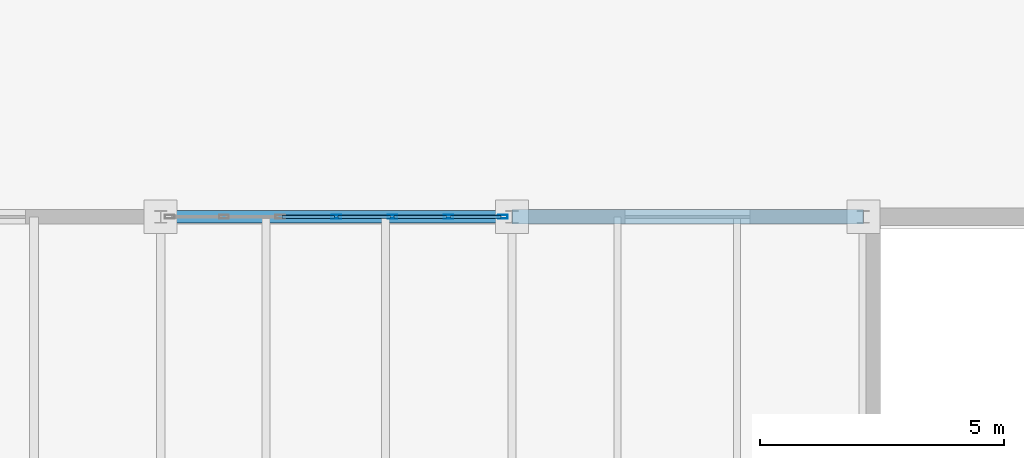
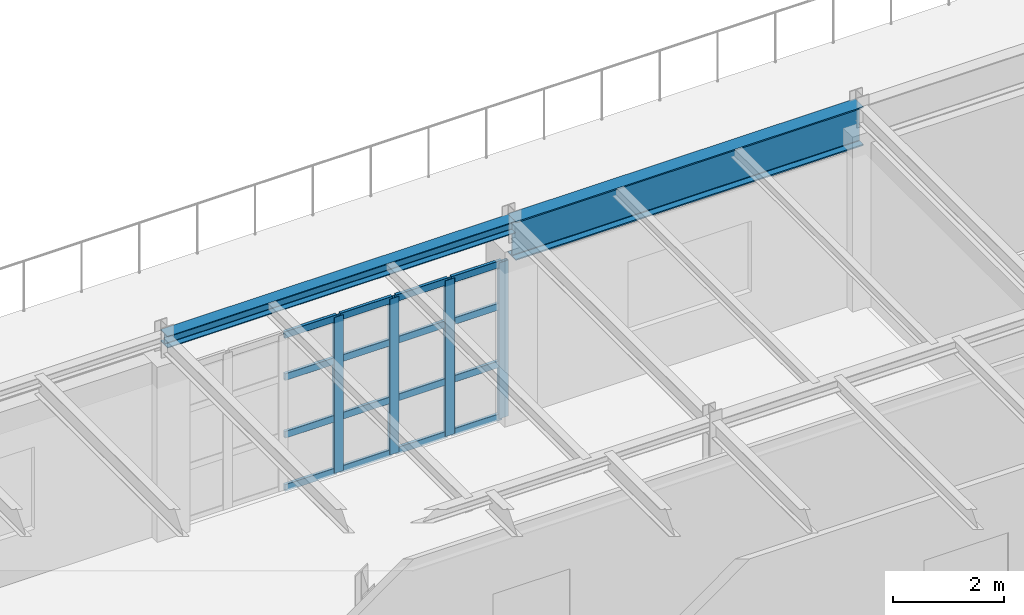
# One storey, part 27 of 36: 20 members, 2 beams, 1 element without a shape of its own.
"""IFC4 building model written with IfcOpenShell, lengths in metres."""

from ifc_helpers import new_model, si_unit, direction, frame, origin, origin_2d, place, context, subcontext, project, spatial, hollow_rectangle, i_section, extrude, material, layer, layer_set, material_profile, profile_set, type_object, element, aggregate, save


model = new_model("IFC4")

# Units and contexts
model_context = context("Model", 3, precision=1e-05, world=origin(), true_north=direction((0.0, 1.0)))
body_context = subcontext(model_context, "Body", "Model", "MODEL_VIEW")
ifc_project = project(units=[si_unit("LENGTHUNIT", "METRE"), si_unit("AREAUNIT", "SQUARE_METRE"), si_unit("VOLUMEUNIT", "CUBIC_METRE"), si_unit("PLANEANGLEUNIT", "RADIAN"), si_unit("MASSUNIT", "GRAM", prefix="KILO")], contexts=[model_context])

# Site, building, storey
site_placement = place(None, origin())
site = spatial("IfcSite", under=ifc_project, at=site_placement, CompositionType="ELEMENT")
building_placement = place(site_placement, origin())
building = spatial("IfcBuilding", under=site, at=building_placement, Name="Kemerveld Promenade Tramway Depot", CompositionType="ELEMENT")
storey_placement = place(building_placement, frame((0.0, 0.0, 14.39990234375)))
storey = spatial("IfcBuildingStorey", under=building, at=storey_placement, Name="L03", CompositionType="ELEMENT", Elevation=14.39990234375)

# Beams
ifc_material_1 = material(Name="Steel S355", Category="steel")
ifc_material_profile_1 = material_profile(ifc_material_1, i_section(OverallWidth=0.293701171875, OverallDepth=0.850830078125, WebThickness=0.01611328125, FlangeThickness=0.02685546875, FilletRadius=0.017822265625, at=origin_2d()), Name="838x292x226 UB")
ifc_profile_set_1 = profile_set([ifc_material_profile_1], Name="Steel S355")
beam_type_1 = type_object("IfcBeamType", Name="BM-G01", PredefinedType="BEAM", material=ifc_profile_set_1)
beam_1_placement = place(storey_placement, frame((21.60009765625, 64.800048828125, 3.859619140625), z_axis=(1.0, 0.0, 0.0), x_axis=(0.0, 1.0, 0.0)))
element("IfcBeam", 1, at=beam_1_placement, inside=storey, type_object=beam_type_1, Name="BMX-L03-04-05-K", PredefinedType="BEAM", context=body_context, shape_type="SweptSolid", body=[
    extrude(i_section(OverallWidth=0.293701171875, OverallDepth=0.850830078125, WebThickness=0.01611328125, FlangeThickness=0.02685546875, FilletRadius=0.017822265625, at=origin_2d()), origin(), (0.0, 0.0, 1.0), 7.199951171875),
])
ifc_material_profile_2 = material_profile(ifc_material_1, i_section(OverallWidth=0.25634765625, OverallDepth=0.26025390625, WebThickness=0.01025390625, FlangeThickness=0.017333984375, FilletRadius=0.0126953125, at=origin_2d()), Name="254x254x89 UC")
ifc_profile_set_2 = profile_set([ifc_material_profile_2], Name="Steel S355")
beam_type_2 = type_object("IfcBeamType", Name="BM-LN4", PredefinedType="LINTEL", material=ifc_profile_set_2)
beam_2_placement = place(storey_placement, frame((14.39990234375, 64.800048828125, 4.15478515625), z_axis=(1.0, 0.0, 0.0), x_axis=(0.0, 1.0, 0.0)))
element("IfcBeam", 2, at=beam_2_placement, inside=storey, type_object=beam_type_2, Name="BMX-L03-03-04-K", PredefinedType="LINTEL", context=body_context, shape_type="SweptSolid", body=[
    extrude(i_section(OverallWidth=0.25634765625, OverallDepth=0.26025390625, WebThickness=0.01025390625, FlangeThickness=0.017333984375, FilletRadius=0.0126953125, at=origin_2d()), origin(), (0.0, 0.0, 1.0), 7.2001953125),
])

# Curtain wall, members
ifc_material_2 = material(Name="Bronze anodised aluminium and solar glass", Category="aluminium")
ifc_layer = layer(ifc_material_2, 0.199951171875)
ifc_layer_set = layer_set([ifc_layer], Name="CW-SYS-06")
curtain_wall_type = type_object("IfcCurtainWallType", Name="CW-SYS-06", PredefinedType="USERDEFINED", material=ifc_layer_set)
curtain_wall_placement = place(storey_placement, origin())
curtain_wall = element("IfcCurtainWall", 3, at=curtain_wall_placement, inside=storey, type_object=curtain_wall_type, Name="CW-L03-V5N-03", ObjectType="GLAZED_CURTAIN_WALL", PredefinedType="USERDEFINED")
ifc_material_3 = material(Name="Bronze anodised aluminium", Category="aluminium")
ifc_material_profile_3 = material_profile(ifc_material_3, hollow_rectangle(XDim=0.074951171875, YDim=0.199951171875, WallThickness=0.0048828125, InnerFilletRadius=0.001953125, OuterFilletRadius=0.0048828125, at=origin_2d()), Name="CW-MUL-200x75")
ifc_profile_set_3 = profile_set([ifc_material_profile_3], Name="Bronze anodised aluminium")
member_type_1 = type_object("IfcMemberType", Name="CW-MUL-B", PredefinedType="MULLION", material=ifc_profile_set_3)
member_1_placement = place(storey_placement, frame((18.0, 64.800048828125, 0.0), z_axis=(0.0, 0.0, 1.0), x_axis=(0.0, 1.0, 0.0)))
member_1 = element("IfcMember", 4, at=member_1_placement, type_object=member_type_1, Name="CW06 mullion 4", PredefinedType="MULLION", context=body_context, shape_type="SweptSolid", body=[
    extrude(hollow_rectangle(XDim=0.074951171875, YDim=0.199951171875, WallThickness=0.0048828125, InnerFilletRadius=0.001953125, OuterFilletRadius=0.0048828125, at=origin_2d()), origin(), (0.0, 0.0, 1.0), 3.4140625),
])
member_2_placement = place(storey_placement, frame((19.14990234375, 64.800048828125, 0.0), z_axis=(0.0, 0.0, 1.0), x_axis=(0.0, 1.0, 0.0)))
member_2 = element("IfcMember", 5, at=member_2_placement, type_object=member_type_1, Name="CW06 mullion 5", PredefinedType="MULLION", context=body_context, shape_type="SweptSolid", body=[
    extrude(hollow_rectangle(XDim=0.074951171875, YDim=0.199951171875, WallThickness=0.0048828125, InnerFilletRadius=0.001953125, OuterFilletRadius=0.0048828125, at=origin_2d()), origin(), (0.0, 0.0, 1.0), 3.4140625),
])
member_3_placement = place(storey_placement, frame((20.300048828125, 64.800048828125, 0.0), z_axis=(0.0, 0.0, 1.0), x_axis=(0.0, 1.0, 0.0)))
member_3 = element("IfcMember", 6, at=member_3_placement, type_object=member_type_1, Name="CW06 mullion 6", PredefinedType="MULLION", context=body_context, shape_type="SweptSolid", body=[
    extrude(hollow_rectangle(XDim=0.074951171875, YDim=0.199951171875, WallThickness=0.0048828125, InnerFilletRadius=0.001953125, OuterFilletRadius=0.0048828125, at=origin_2d()), origin(), (0.0, 0.0, 1.0), 3.4140625),
])
member_4_placement = place(storey_placement, frame((21.412353515625, 64.800048828125, 0.0), z_axis=(0.0, 0.0, 1.0), x_axis=(0.0, 1.0, 0.0)))
member_4 = element("IfcMember", 7, at=member_4_placement, type_object=member_type_1, Name="CW06 mullion 7", PredefinedType="MULLION", context=body_context, shape_type="SweptSolid", body=[
    extrude(hollow_rectangle(XDim=0.074951171875, YDim=0.199951171875, WallThickness=0.0048828125, InnerFilletRadius=0.001953125, OuterFilletRadius=0.0048828125, at=origin_2d()), origin(), (0.0, 0.0, 1.0), 3.4140625),
])
ifc_material_profile_4 = material_profile(ifc_material_3, hollow_rectangle(XDim=0.06494140625, YDim=0.14990234375, WallThickness=0.00439453125, InnerFilletRadius=0.001953125, OuterFilletRadius=0.00439453125, at=origin_2d()), Name="CW-TRN-150x65")
ifc_profile_set_4 = profile_set([ifc_material_profile_4], Name="Bronze anodised aluminium")
member_type_2 = type_object("IfcMemberType", Name="CW-TRN-B", PredefinedType="USERDEFINED", material=ifc_profile_set_4)
member_5_placement = place(storey_placement, frame((16.8876953125, 64.800048828125, 0.03271484375), z_axis=(1.0, 0.0, 0.0), x_axis=(0.0, 1.0, 0.0)))
member_5 = element("IfcMember", 8, at=member_5_placement, type_object=member_type_2, Name="CW06 transom 3.1", ObjectType="TRANSOM", PredefinedType="USERDEFINED", context=body_context, shape_type="SweptSolid", body=[
    extrude(hollow_rectangle(XDim=0.06494140625, YDim=0.14990234375, WallThickness=0.00439453125, InnerFilletRadius=0.001953125, OuterFilletRadius=0.00439453125, at=origin_2d()), origin(), (0.0, 0.0, 1.0), 1.074951171875),
])
member_6_placement = place(storey_placement, frame((16.8876953125, 64.800048828125, 1.195068359375), z_axis=(1.0, 0.0, 0.0), x_axis=(0.0, 1.0, 0.0)))
member_6 = element("IfcMember", 9, at=member_6_placement, type_object=member_type_2, Name="CW06 transom 3.2", ObjectType="TRANSOM", PredefinedType="USERDEFINED", context=body_context, shape_type="SweptSolid", body=[
    extrude(hollow_rectangle(XDim=0.06494140625, YDim=0.14990234375, WallThickness=0.00439453125, InnerFilletRadius=0.001953125, OuterFilletRadius=0.00439453125, at=origin_2d()), origin(), (0.0, 0.0, 1.0), 1.074951171875),
])
member_7_placement = place(storey_placement, frame((16.8876953125, 64.800048828125, 2.4580078125), z_axis=(1.0, 0.0, 0.0), x_axis=(0.0, 1.0, 0.0)))
member_7 = element("IfcMember", 10, at=member_7_placement, type_object=member_type_2, Name="CW06 transom 3.3", ObjectType="TRANSOM", PredefinedType="USERDEFINED", context=body_context, shape_type="SweptSolid", body=[
    extrude(hollow_rectangle(XDim=0.06494140625, YDim=0.14990234375, WallThickness=0.00439453125, InnerFilletRadius=0.001953125, OuterFilletRadius=0.00439453125, at=origin_2d()), origin(), (0.0, 0.0, 1.0), 1.074951171875),
])
member_8_placement = place(storey_placement, frame((16.8876953125, 64.800048828125, 3.381591796875), z_axis=(1.0, 0.0, 0.0), x_axis=(0.0, 1.0, 0.0)))
member_8 = element("IfcMember", 11, at=member_8_placement, type_object=member_type_2, Name="CW06 transom 3.4", ObjectType="TRANSOM", PredefinedType="USERDEFINED", context=body_context, shape_type="SweptSolid", body=[
    extrude(hollow_rectangle(XDim=0.06494140625, YDim=0.14990234375, WallThickness=0.00439453125, InnerFilletRadius=0.001953125, OuterFilletRadius=0.00439453125, at=origin_2d()), origin(), (0.0, 0.0, 1.0), 1.074951171875),
])
member_9_placement = place(storey_placement, frame((18.03759765625, 64.800048828125, 0.03271484375), z_axis=(1.0, 0.0, 0.0), x_axis=(0.0, 1.0, 0.0)))
member_9 = element("IfcMember", 12, at=member_9_placement, type_object=member_type_2, Name="CW06 transom 4.1", ObjectType="TRANSOM", PredefinedType="USERDEFINED", context=body_context, shape_type="SweptSolid", body=[
    extrude(hollow_rectangle(XDim=0.06494140625, YDim=0.14990234375, WallThickness=0.00439453125, InnerFilletRadius=0.001953125, OuterFilletRadius=0.00439453125, at=origin_2d()), origin(), (0.0, 0.0, 1.0), 1.074951171875),
])
member_10_placement = place(storey_placement, frame((18.03759765625, 64.800048828125, 1.195068359375), z_axis=(1.0, 0.0, 0.0), x_axis=(0.0, 1.0, 0.0)))
member_10 = element("IfcMember", 13, at=member_10_placement, type_object=member_type_2, Name="CW06 transom 4.2", ObjectType="TRANSOM", PredefinedType="USERDEFINED", context=body_context, shape_type="SweptSolid", body=[
    extrude(hollow_rectangle(XDim=0.06494140625, YDim=0.14990234375, WallThickness=0.00439453125, InnerFilletRadius=0.001953125, OuterFilletRadius=0.00439453125, at=origin_2d()), origin(), (0.0, 0.0, 1.0), 1.074951171875),
])
member_11_placement = place(storey_placement, frame((18.03759765625, 64.800048828125, 2.4580078125), z_axis=(1.0, 0.0, 0.0), x_axis=(0.0, 1.0, 0.0)))
member_11 = element("IfcMember", 14, at=member_11_placement, type_object=member_type_2, Name="CW06 transom 4.3", ObjectType="TRANSOM", PredefinedType="USERDEFINED", context=body_context, shape_type="SweptSolid", body=[
    extrude(hollow_rectangle(XDim=0.06494140625, YDim=0.14990234375, WallThickness=0.00439453125, InnerFilletRadius=0.001953125, OuterFilletRadius=0.00439453125, at=origin_2d()), origin(), (0.0, 0.0, 1.0), 1.074951171875),
])
member_12_placement = place(storey_placement, frame((18.03759765625, 64.800048828125, 3.381591796875), z_axis=(1.0, 0.0, 0.0), x_axis=(0.0, 1.0, 0.0)))
member_12 = element("IfcMember", 15, at=member_12_placement, type_object=member_type_2, Name="CW06 transom 4.4", ObjectType="TRANSOM", PredefinedType="USERDEFINED", context=body_context, shape_type="SweptSolid", body=[
    extrude(hollow_rectangle(XDim=0.06494140625, YDim=0.14990234375, WallThickness=0.00439453125, InnerFilletRadius=0.001953125, OuterFilletRadius=0.00439453125, at=origin_2d()), origin(), (0.0, 0.0, 1.0), 1.074951171875),
])
member_13_placement = place(storey_placement, frame((19.1875, 64.800048828125, 0.03271484375), z_axis=(1.0, 0.0, 0.0), x_axis=(0.0, 1.0, 0.0)))
member_13 = element("IfcMember", 16, at=member_13_placement, type_object=member_type_2, Name="CW06 transom 5.1", ObjectType="TRANSOM", PredefinedType="USERDEFINED", context=body_context, shape_type="SweptSolid", body=[
    extrude(hollow_rectangle(XDim=0.06494140625, YDim=0.14990234375, WallThickness=0.00439453125, InnerFilletRadius=0.001953125, OuterFilletRadius=0.00439453125, at=origin_2d()), origin(), (0.0, 0.0, 1.0), 1.074951171875),
])
member_14_placement = place(storey_placement, frame((19.1875, 64.800048828125, 1.195068359375), z_axis=(1.0, 0.0, 0.0), x_axis=(0.0, 1.0, 0.0)))
member_14 = element("IfcMember", 17, at=member_14_placement, type_object=member_type_2, Name="CW06 transom 5.2", ObjectType="TRANSOM", PredefinedType="USERDEFINED", context=body_context, shape_type="SweptSolid", body=[
    extrude(hollow_rectangle(XDim=0.06494140625, YDim=0.14990234375, WallThickness=0.00439453125, InnerFilletRadius=0.001953125, OuterFilletRadius=0.00439453125, at=origin_2d()), origin(), (0.0, 0.0, 1.0), 1.074951171875),
])
member_15_placement = place(storey_placement, frame((19.1875, 64.800048828125, 2.4580078125), z_axis=(1.0, 0.0, 0.0), x_axis=(0.0, 1.0, 0.0)))
member_15 = element("IfcMember", 18, at=member_15_placement, type_object=member_type_2, Name="CW06 transom 5.3", ObjectType="TRANSOM", PredefinedType="USERDEFINED", context=body_context, shape_type="SweptSolid", body=[
    extrude(hollow_rectangle(XDim=0.06494140625, YDim=0.14990234375, WallThickness=0.00439453125, InnerFilletRadius=0.001953125, OuterFilletRadius=0.00439453125, at=origin_2d()), origin(), (0.0, 0.0, 1.0), 1.074951171875),
])
member_16_placement = place(storey_placement, frame((19.1875, 64.800048828125, 3.381591796875), z_axis=(1.0, 0.0, 0.0), x_axis=(0.0, 1.0, 0.0)))
member_16 = element("IfcMember", 19, at=member_16_placement, type_object=member_type_2, Name="CW06 transom 5.4", ObjectType="TRANSOM", PredefinedType="USERDEFINED", context=body_context, shape_type="SweptSolid", body=[
    extrude(hollow_rectangle(XDim=0.06494140625, YDim=0.14990234375, WallThickness=0.00439453125, InnerFilletRadius=0.001953125, OuterFilletRadius=0.00439453125, at=origin_2d()), origin(), (0.0, 0.0, 1.0), 1.074951171875),
])
member_17_placement = place(storey_placement, frame((20.33740234375, 64.800048828125, 0.03271484375), z_axis=(1.0, 0.0, 0.0), x_axis=(0.0, 1.0, 0.0)))
member_17 = element("IfcMember", 20, at=member_17_placement, type_object=member_type_2, Name="CW06 transom 6.1", ObjectType="TRANSOM", PredefinedType="USERDEFINED", context=body_context, shape_type="SweptSolid", body=[
    extrude(hollow_rectangle(XDim=0.06494140625, YDim=0.14990234375, WallThickness=0.00439453125, InnerFilletRadius=0.001953125, OuterFilletRadius=0.00439453125, at=origin_2d()), origin(), (0.0, 0.0, 1.0), 1.03759765625),
])
member_18_placement = place(storey_placement, frame((20.33740234375, 64.800048828125, 1.195068359375), z_axis=(1.0, 0.0, 0.0), x_axis=(0.0, 1.0, 0.0)))
member_18 = element("IfcMember", 21, at=member_18_placement, type_object=member_type_2, Name="CW06 transom 6.2", ObjectType="TRANSOM", PredefinedType="USERDEFINED", context=body_context, shape_type="SweptSolid", body=[
    extrude(hollow_rectangle(XDim=0.06494140625, YDim=0.14990234375, WallThickness=0.00439453125, InnerFilletRadius=0.001953125, OuterFilletRadius=0.00439453125, at=origin_2d()), origin(), (0.0, 0.0, 1.0), 1.03759765625),
])
member_19_placement = place(storey_placement, frame((20.33740234375, 64.800048828125, 2.4580078125), z_axis=(1.0, 0.0, 0.0), x_axis=(0.0, 1.0, 0.0)))
member_19 = element("IfcMember", 22, at=member_19_placement, type_object=member_type_2, Name="CW06 transom 6.3", ObjectType="TRANSOM", PredefinedType="USERDEFINED", context=body_context, shape_type="SweptSolid", body=[
    extrude(hollow_rectangle(XDim=0.06494140625, YDim=0.14990234375, WallThickness=0.00439453125, InnerFilletRadius=0.001953125, OuterFilletRadius=0.00439453125, at=origin_2d()), origin(), (0.0, 0.0, 1.0), 1.03759765625),
])
member_20_placement = place(storey_placement, frame((20.33740234375, 64.800048828125, 3.381591796875), z_axis=(1.0, 0.0, 0.0), x_axis=(0.0, 1.0, 0.0)))
member_20 = element("IfcMember", 23, at=member_20_placement, type_object=member_type_2, Name="CW06 transom 6.4", ObjectType="TRANSOM", PredefinedType="USERDEFINED", context=body_context, shape_type="SweptSolid", body=[
    extrude(hollow_rectangle(XDim=0.06494140625, YDim=0.14990234375, WallThickness=0.00439453125, InnerFilletRadius=0.001953125, OuterFilletRadius=0.00439453125, at=origin_2d()), origin(), (0.0, 0.0, 1.0), 1.03759765625),
])
aggregate(curtain_wall, [member_1, member_2, member_3, member_4, member_5, member_6, member_7, member_8, member_9, member_10, member_11, member_12, member_13, member_14, member_15, member_16, member_17, member_18, member_19, member_20])

save(model, "model.ifc")
